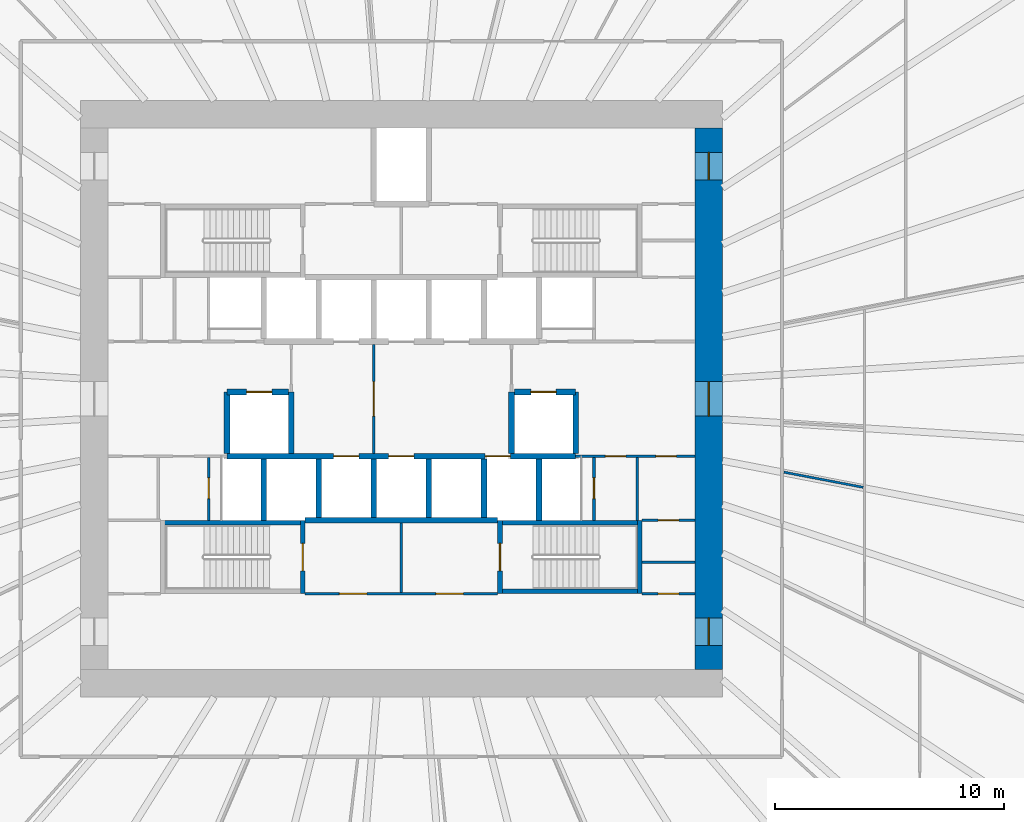
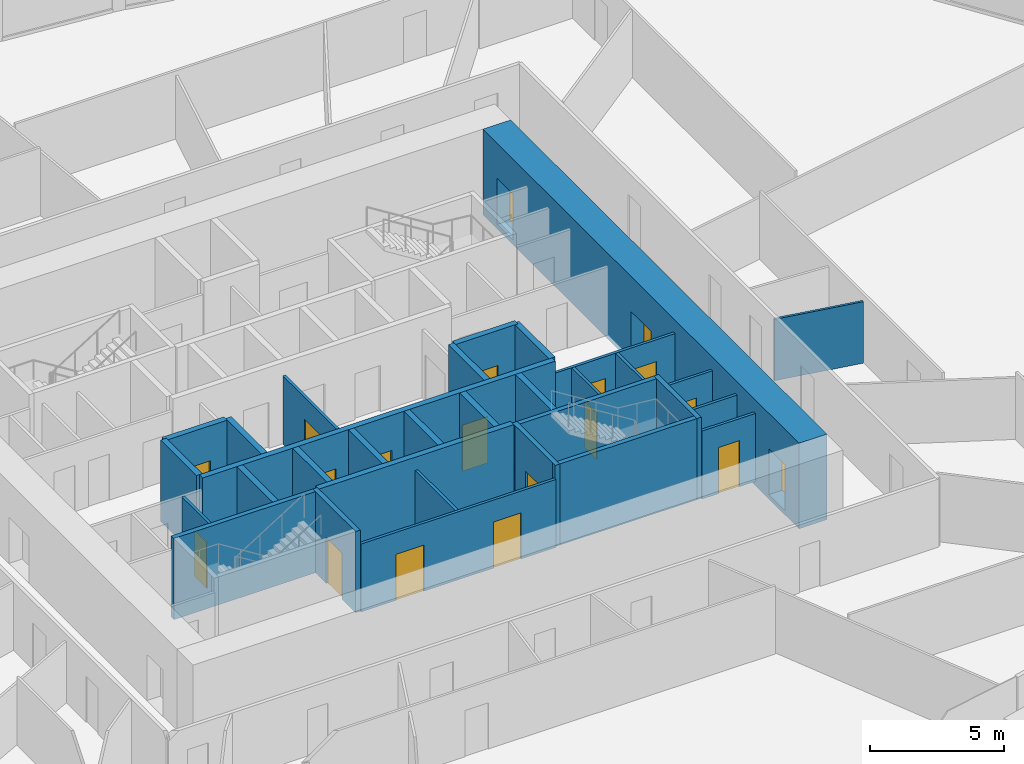
# One storey, part 7 of 11: 32 walls, 19 doors, 19 openings.
"""IFC4 building model written with IfcOpenShell, lengths in metres."""

from ifc_helpers import new_model, si_unit, direction, frame, frame_2d, origin, place, context, subcontext, project, spatial, rectangle, extrude, source, transform, mapped, material, layer, layer_set, type_object, element, fill, save


model = new_model("IFC4")

# Units and contexts
model_context = context("Model", 3, precision=1e-05, world=origin(), true_north=direction((0.0, 1.0)))
body_context = subcontext(model_context, "Body", "Model", "MODEL_VIEW")
ifc_project = project(units=[si_unit("LENGTHUNIT", "METRE"), si_unit("AREAUNIT", "SQUARE_METRE"), si_unit("VOLUMEUNIT", "CUBIC_METRE"), si_unit("PLANEANGLEUNIT", "RADIAN"), si_unit("MASSUNIT", "GRAM", prefix="KILO")], contexts=[model_context])

# Site, building, storey
site_placement = place(None, origin())
site = spatial("IfcSite", under=ifc_project, at=site_placement, CompositionType="ELEMENT")
building_placement = place(site_placement, origin())
building = spatial("IfcBuilding", under=site, at=building_placement, Name="Embergate Tower", CompositionType="ELEMENT")
storey_placement = place(building_placement, frame((0.0, 0.0, 77.60009765625)))
storey = spatial("IfcBuildingStorey", under=building, at=storey_placement, Name="L15", CompositionType="ELEMENT", Elevation=77.60009765625)

# Wall, openings, doors
ifc_material_1 = material(Name="Concrete C80", Category="concrete")
ifc_layer_1 = layer(ifc_material_1, 1.199951171875)
ifc_layer_set_1 = layer_set([ifc_layer_1], Name="Concrete C80")
wall_type_1 = type_object("IfcWallType", Name="Core outer wall C80 1200", PredefinedType="SHEAR", material=ifc_layer_set_1)
shared_shape_1 = source(origin(), body_context, "Body", "SweptSolid", [
    extrude(rectangle(XDim=23.60009765625, YDim=1.199951171875, at=frame_2d((11.800048828125, 0.0))), origin(), (0.0, 0.0, 1.0), 3.900146484375),
])
wall_1_placement = place(storey_placement, frame((13.39990234375, -11.800048828125, -0.2001953125), z_axis=(0.0, 0.0, 1.0), x_axis=(0.0, 1.0, 0.0)))
wall_1 = element("IfcWall", 1, at=wall_1_placement, inside=storey, type_object=wall_type_1, Name="CW-L15-E", PredefinedType="SHEAR", context=body_context, shape_type="MappedRepresentation", body=[
    mapped(shared_shape_1, transform((0.0, 0.0, 0.0))),
])
shared_shape_2 = source(origin(), body_context, "Body", "SweptSolid", [
    extrude(rectangle(XDim=1.199951171875, YDim=2.10009765625, at=frame_2d((0.60009765625, 1.050048828125))), frame((0.0, 0.60986328125, 0.0), z_axis=(0.0, -1.0, 0.0), x_axis=(1.0, 0.0, 0.0)), (0.0, 0.0, 1.0), 1.219970703125),
])
opening_1_placement = place(wall_1_placement, frame((21.35009765625, 0.0, 0.199951171875)))
opening_1 = element("IfcOpeningElement", 2, at=opening_1_placement, cuts=wall_1, Name="Opening IF-1", PredefinedType="OPENING", context=body_context, shape_type="MappedRepresentation", body=[
    mapped(shared_shape_2, transform((0.0, 0.0, 0.0))),
])
opening_2_placement = place(wall_1_placement, frame((1.050048828125, 0.0, 0.199951171875)))
opening_2 = element("IfcOpeningElement", 3, at=opening_2_placement, cuts=wall_1, Name="Opening IF-1", PredefinedType="OPENING", context=body_context, shape_type="MappedRepresentation", body=[
    mapped(shared_shape_2, transform((0.0, 0.0, 0.0))),
])
shared_shape_3 = source(origin(), body_context, "Body", "SweptSolid", [
    extrude(rectangle(XDim=1.5, YDim=2.10009765625, at=frame_2d((0.75, 1.050048828125))), frame((0.0, 0.60986328125, 0.0), z_axis=(0.0, -1.0, 0.0), x_axis=(1.0, 0.0, 0.0)), (0.0, 0.0, 1.0), 1.219970703125),
])
opening_3_placement = place(wall_1_placement, frame((11.050048828125, 0.0, 0.199951171875)))
opening_3 = element("IfcOpeningElement", 4, at=opening_3_placement, cuts=wall_1, Name="Opening IF-3", PredefinedType="OPENING", context=body_context, shape_type="MappedRepresentation", body=[
    mapped(shared_shape_3, transform((0.0, 0.0, 0.0))),
])
ifc_material_2 = material(Name="Escape fire door 1200")
door_type_1 = type_object("IfcDoorType", Name="Escape fire door 1200", OperationType="SINGLE_SWING_LEFT", PredefinedType="DOOR", material=ifc_material_2)
shared_shape_4 = source(origin(), body_context, "Body", "SweptSolid", [
    extrude(rectangle(XDim=1.199951171875, YDim=2.10009765625, at=frame_2d((0.60009765625, 1.050048828125))), frame((0.0, 0.02490234375, 0.0), z_axis=(0.0, -1.0, 0.0), x_axis=(1.0, 0.0, 0.0)), (0.0, 0.0, 1.0), 0.050048828125),
])
door_1_placement = place(opening_1_placement, origin())
door_1 = element("IfcDoor", 5, at=door_1_placement, inside=storey, type_object=door_type_1, Name="IF-1 door", OperationType="SINGLE_SWING_LEFT", OverallHeight=2.10009765625, OverallWidth=1.199951171875, PredefinedType="DOOR", context=body_context, shape_type="MappedRepresentation", body=[
    mapped(shared_shape_4, transform((0.0, 0.0, 0.0))),
])
fill(opening_1, door_1)
door_2_placement = place(opening_2_placement, origin())
door_2 = element("IfcDoor", 6, at=door_2_placement, inside=storey, type_object=door_type_1, Name="IF-1 door", OperationType="SINGLE_SWING_RIGHT", OverallHeight=2.10009765625, OverallWidth=1.199951171875, PredefinedType="DOOR", context=body_context, shape_type="MappedRepresentation", body=[
    mapped(shared_shape_4, transform((0.0, 0.0, 0.0))),
])
fill(opening_2, door_2)
ifc_material_3 = material(Name="Lobby fire door pair 1500")
door_type_2 = type_object("IfcDoorType", Name="Lobby fire door pair 1500", OperationType="DOUBLE_DOOR_SINGLE_SWING", PredefinedType="DOOR", material=ifc_material_3)
shared_shape_5 = source(origin(), body_context, "Body", "SweptSolid", [
    extrude(rectangle(XDim=1.5, YDim=2.10009765625, at=frame_2d((0.75, 1.050048828125))), frame((0.0, 0.02490234375, 0.0), z_axis=(0.0, -1.0, 0.0), x_axis=(1.0, 0.0, 0.0)), (0.0, 0.0, 1.0), 0.050048828125),
])
door_3_placement = place(opening_3_placement, origin())
door_3 = element("IfcDoor", 7, at=door_3_placement, inside=storey, type_object=door_type_2, Name="IF-3 door", OperationType="DOUBLE_DOOR_SINGLE_SWING", OverallHeight=2.10009765625, OverallWidth=1.5, PredefinedType="DOOR", context=body_context, shape_type="MappedRepresentation", body=[
    mapped(shared_shape_5, transform((0.0, 0.0, 0.0))),
])
fill(opening_3, door_3)

# Walls
ifc_material_4 = material(Name="Concrete C50", Category="concrete")
ifc_layer_2 = layer(ifc_material_4, 0.25)
ifc_layer_set_2 = layer_set([ifc_layer_2], Name="Concrete C50")
wall_type_2 = type_object("IfcWallType", Name="Hoistway wall reinforced concrete 250", PredefinedType="SHEAR", material=ifc_layer_set_2)
shared_shape_6 = source(origin(), body_context, "Body", "SweptSolid", [
    extrude(rectangle(XDim=2.675048828125, YDim=0.25, at=frame_2d((1.33740234375, 0.0))), origin(), (0.0, 0.0, 1.0), 3.699951171875),
])
for number, where, z_axis, x_axis, name in (
    (8, (-6.0, -5.300048828125, 0.0), (0.0, 0.0, 1.0), (0.0, 1.0, 0.0), "HW-1 wall"),
    (9, (6.0, -5.300048828125, 0.0), (0.0, 0.0, 1.0), (0.0, 1.0, 0.0), "HW-1 wall"),
    (10, (-4.800048828125, 0.300048828125, 0.0), (0.0, 0.0, 1.0), (0.0, -1.0, 0.0), "HW-1 wall"),
    (11, (4.800048828125, -2.375, 0.0), (0.0, 0.0, 1.0), (0.0, 1.0, 0.0), "HW-1 wall"),
):
    element("IfcWall", number, at=place(storey_placement, frame(where, z_axis=z_axis, x_axis=x_axis)), inside=storey, type_object=wall_type_2, Name=name, PredefinedType="SHEAR", context=body_context, shape_type="MappedRepresentation", body=[
        mapped(shared_shape_6, transform((0.0, 0.0, 0.0))),
    ])

# Wall, opening, door
wall_2_placement = place(storey_placement, frame((-4.925048828125, 0.300048828125, 0.0), z_axis=(0.0, 0.0, 1.0), x_axis=(-1.0, 0.0, 0.0)))
wall_2 = element("IfcWall", 12, at=wall_2_placement, inside=storey, type_object=wall_type_2, Name="HW-1 wall", PredefinedType="SHEAR", context=body_context, shape_type="MappedRepresentation", body=[
    mapped(shared_shape_6, transform((0.0, 0.0, 0.0))),
])
shared_shape_7 = source(origin(), body_context, "Body", "SweptSolid", [
    extrude(rectangle(XDim=1.10009765625, YDim=2.10009765625, at=frame_2d((0.550048828125, 1.050048828125))), frame((0.0, 0.135009765625, 0.0), z_axis=(0.0, -1.0, 0.0), x_axis=(1.0, 0.0, 0.0)), (0.0, 0.0, 1.0), 0.27001953125),
])
opening_4_placement = place(wall_2_placement, frame((0.72509765625, 0.0, 0.0)))
opening_4 = element("IfcOpeningElement", 13, at=opening_4_placement, cuts=wall_2, Name="Opening LD", PredefinedType="OPENING", context=body_context, shape_type="MappedRepresentation", body=[
    mapped(shared_shape_7, transform((0.0, 0.0, 0.0))),
])
ifc_material_5 = material(Name="Landing door sliding 1100")
door_type_3 = type_object("IfcDoorType", Name="Landing door sliding 1100", OperationType="SLIDING_TO_LEFT", PredefinedType="DOOR", material=ifc_material_5)
shared_shape_8 = source(origin(), body_context, "Body", "SweptSolid", [
    extrude(rectangle(XDim=1.10009765625, YDim=2.10009765625, at=frame_2d((0.550048828125, 1.050048828125))), frame((0.0, 0.02490234375, 0.0), z_axis=(0.0, -1.0, 0.0), x_axis=(1.0, 0.0, 0.0)), (0.0, 0.0, 1.0), 0.050048828125),
])
door_4_placement = place(opening_4_placement, origin())
door_4 = element("IfcDoor", 14, at=door_4_placement, inside=storey, type_object=door_type_3, Name="LD door", OperationType="SLIDING_TO_RIGHT", OverallHeight=2.10009765625, OverallWidth=1.10009765625, PredefinedType="DOOR", context=body_context, shape_type="MappedRepresentation", body=[
    mapped(shared_shape_8, transform((0.0, 0.0, 0.0))),
])
fill(opening_4, door_4)

# Wall
wall_3_placement = place(storey_placement, frame((-7.60009765625, 0.300048828125, 0.0), z_axis=(0.0, 0.0, 1.0), x_axis=(0.0, -1.0, 0.0)))
element("IfcWall", 15, at=wall_3_placement, inside=storey, type_object=wall_type_2, Name="HW-1 wall", PredefinedType="SHEAR", context=body_context, shape_type="MappedRepresentation", body=[
    mapped(shared_shape_6, transform((0.0, 0.0, 0.0))),
])

# Wall, opening, door
wall_4_placement = place(storey_placement, frame((7.60009765625, 0.300048828125, 0.0), z_axis=(0.0, 0.0, 1.0), x_axis=(-1.0, 0.0, 0.0)))
wall_4 = element("IfcWall", 16, at=wall_4_placement, inside=storey, type_object=wall_type_2, Name="HW-1 wall", PredefinedType="SHEAR", context=body_context, shape_type="MappedRepresentation", body=[
    mapped(shared_shape_6, transform((0.0, 0.0, 0.0))),
])
opening_5_placement = place(wall_4_placement, frame((0.85009765625, 0.0, 0.0)))
opening_5 = element("IfcOpeningElement", 17, at=opening_5_placement, cuts=wall_4, Name="Opening LD", PredefinedType="OPENING", context=body_context, shape_type="MappedRepresentation", body=[
    mapped(shared_shape_7, transform((0.0, 0.0, 0.0))),
])
door_5_placement = place(opening_5_placement, origin())
door_5 = element("IfcDoor", 18, at=door_5_placement, inside=storey, type_object=door_type_3, Name="LD door", OperationType="SLIDING_TO_RIGHT", OverallHeight=2.10009765625, OverallWidth=1.10009765625, PredefinedType="DOOR", context=body_context, shape_type="MappedRepresentation", body=[
    mapped(shared_shape_8, transform((0.0, 0.0, 0.0))),
])
fill(opening_5, door_5)

# Walls
wall_5_placement = place(storey_placement, frame((7.60009765625, -2.375, 0.0), z_axis=(0.0, 0.0, 1.0), x_axis=(0.0, 1.0, 0.0)))
element("IfcWall", 19, at=wall_5_placement, inside=storey, type_object=wall_type_2, Name="HW-1 wall", PredefinedType="SHEAR", context=body_context, shape_type="MappedRepresentation", body=[
    mapped(shared_shape_6, transform((0.0, 0.0, 0.0))),
])
ifc_layer_3 = layer(ifc_material_4, 0.199951171875)
ifc_layer_set_3 = layer_set([ifc_layer_3], Name="Concrete C50")
wall_type_3 = type_object("IfcWallType", Name="Stair enclosure wall reinforced concrete 250", PredefinedType="SHEAR", material=ifc_layer_set_3)
shared_shape_9 = source(origin(), body_context, "Body", "SweptSolid", [
    extrude(rectangle(XDim=6.300048828125, YDim=0.199951171875, at=frame_2d((3.14990234375, 0.0))), origin(), (0.0, 0.0, 1.0), 3.699951171875),
])
for number, where, z_axis, x_axis, name in (
    (20, (-10.5, -5.39990234375, 0.0), (0.0, 0.0, 1.0), (1.0, 0.0, 0.0), "SE-1 wall"),
    (21, (4.199951171875, -5.39990234375, 0.0), (0.0, 0.0, 1.0), (1.0, 0.0, 0.0), "SE-1 wall"),
    (22, (4.199951171875, -8.39990234375, 0.0), (0.0, 0.0, 1.0), (1.0, 0.0, 0.0), "SE-1 wall"),
):
    element("IfcWall", number, at=place(storey_placement, frame(where, z_axis=z_axis, x_axis=x_axis)), inside=storey, type_object=wall_type_3, Name=name, PredefinedType="SHEAR", context=body_context, shape_type="MappedRepresentation", body=[
        mapped(shared_shape_9, transform((0.0, 0.0, 0.0))),
    ])
shared_shape_10 = source(origin(), body_context, "Body", "SweptSolid", [
    extrude(rectangle(XDim=2.550048828125, YDim=0.25, at=frame_2d((1.27490234375, 0.0))), origin(), (0.0, 0.0, 1.0), 3.699951171875),
])
for number, where, z_axis, x_axis, name in (
    (23, (-3.60009765625, -5.175048828125, 0.0), (0.0, 0.0, 1.0), (0.0, 1.0, 0.0), "HW-1 wall"),
    (24, (-1.199951171875, -5.175048828125, 0.0), (0.0, 0.0, 1.0), (0.0, 1.0, 0.0), "HW-1 wall"),
    (25, (1.199951171875, -5.175048828125, 0.0), (0.0, 0.0, 1.0), (0.0, 1.0, 0.0), "HW-1 wall"),
    (26, (3.60009765625, -5.175048828125, 0.0), (0.0, 0.0, 1.0), (0.0, 1.0, 0.0), "HW-1 wall"),
):
    element("IfcWall", number, at=place(storey_placement, frame(where, z_axis=z_axis, x_axis=x_axis)), inside=storey, type_object=wall_type_2, Name=name, PredefinedType="SHEAR", context=body_context, shape_type="MappedRepresentation", body=[
        mapped(shared_shape_10, transform((0.0, 0.0, 0.0))),
    ])
shared_shape_11 = source(origin(), body_context, "Body", "SweptSolid", [
    extrude(rectangle(XDim=8.39990234375, YDim=0.25, at=frame_2d((4.199951171875, 0.0))), origin(), (0.0, 0.0, 1.0), 3.699951171875),
])
wall_6_placement = place(storey_placement, frame((-4.199951171875, -5.300048828125, 0.0), z_axis=(0.0, 0.0, 1.0), x_axis=(1.0, 0.0, 0.0)))
element("IfcWall", 27, at=wall_6_placement, inside=storey, type_object=wall_type_2, Name="HW-1 wall", PredefinedType="SHEAR", context=body_context, shape_type="MappedRepresentation", body=[
    mapped(shared_shape_11, transform((0.0, 0.0, 0.0))),
])

# Wall, openings, doors
shared_shape_12 = source(origin(), body_context, "Body", "SweptSolid", [
    extrude(rectangle(XDim=15.2001953125, YDim=0.25, at=frame_2d((7.60009765625, 0.0))), origin(), (0.0, 0.0, 1.0), 3.699951171875),
])
wall_7_placement = place(storey_placement, frame((7.60009765625, -2.5, 0.0), z_axis=(0.0, 0.0, 1.0), x_axis=(-1.0, 0.0, 0.0)))
wall_7 = element("IfcWall", 28, at=wall_7_placement, inside=storey, type_object=wall_type_2, Name="HW-1 wall", PredefinedType="SHEAR", context=body_context, shape_type="MappedRepresentation", body=[
    mapped(shared_shape_12, transform((0.0, 0.0, 0.0))),
])
opening_6_placement = place(wall_7_placement, frame((9.449951171875, 0.0, 0.0)))
opening_6 = element("IfcOpeningElement", 29, at=opening_6_placement, cuts=wall_7, Name="Opening LD", PredefinedType="OPENING", context=body_context, shape_type="MappedRepresentation", body=[
    mapped(shared_shape_7, transform((0.0, 0.0, 0.0))),
])
opening_7_placement = place(wall_7_placement, frame((7.050048828125, 0.0, 0.0)))
opening_7 = element("IfcOpeningElement", 30, at=opening_7_placement, cuts=wall_7, Name="Opening LD", PredefinedType="OPENING", context=body_context, shape_type="MappedRepresentation", body=[
    mapped(shared_shape_7, transform((0.0, 0.0, 0.0))),
])
opening_8_placement = place(wall_7_placement, frame((2.85009765625, 0.0, 0.0)))
opening_8 = element("IfcOpeningElement", 31, at=opening_8_placement, cuts=wall_7, Name="Opening LD", PredefinedType="OPENING", context=body_context, shape_type="MappedRepresentation", body=[
    mapped(shared_shape_7, transform((0.0, 0.0, 0.0))),
])
door_6_placement = place(opening_6_placement, origin())
door_6 = element("IfcDoor", 32, at=door_6_placement, inside=storey, type_object=door_type_3, Name="LD door", OperationType="SLIDING_TO_LEFT", OverallHeight=2.10009765625, OverallWidth=1.10009765625, PredefinedType="DOOR", context=body_context, shape_type="MappedRepresentation", body=[
    mapped(shared_shape_8, transform((0.0, 0.0, 0.0))),
])
fill(opening_6, door_6)
door_7_placement = place(opening_7_placement, origin())
door_7 = element("IfcDoor", 33, at=door_7_placement, inside=storey, type_object=door_type_3, Name="LD door", OperationType="SLIDING_TO_LEFT", OverallHeight=2.10009765625, OverallWidth=1.10009765625, PredefinedType="DOOR", context=body_context, shape_type="MappedRepresentation", body=[
    mapped(shared_shape_8, transform((0.0, 0.0, 0.0))),
])
fill(opening_7, door_7)
door_8_placement = place(opening_8_placement, origin())
door_8 = element("IfcDoor", 34, at=door_8_placement, inside=storey, type_object=door_type_3, Name="LD door", OperationType="SLIDING_TO_RIGHT", OverallHeight=2.10009765625, OverallWidth=1.10009765625, PredefinedType="DOOR", context=body_context, shape_type="MappedRepresentation", body=[
    mapped(shared_shape_8, transform((0.0, 0.0, 0.0))),
])
fill(opening_8, door_8)

# Wall, opening, door
shared_shape_13 = source(origin(), body_context, "Body", "SweptSolid", [
    extrude(rectangle(XDim=3.199951171875, YDim=0.199951171875, at=frame_2d((1.60009765625, 0.0))), origin(), (0.0, 0.0, 1.0), 3.699951171875),
])
wall_8_placement = place(storey_placement, frame((-4.300048828125, -8.5, 0.0), z_axis=(0.0, 0.0, 1.0), x_axis=(0.0, 1.0, 0.0)))
wall_8 = element("IfcWall", 35, at=wall_8_placement, inside=storey, type_object=wall_type_3, Name="SE-1 wall", PredefinedType="SHEAR", context=body_context, shape_type="MappedRepresentation", body=[
    mapped(shared_shape_13, transform((0.0, 0.0, 0.0))),
])
shared_shape_14 = source(origin(), body_context, "Body", "SweptSolid", [
    extrude(rectangle(XDim=1.199951171875, YDim=2.10009765625, at=frame_2d((0.60009765625, 1.050048828125))), frame((0.0, 0.10986328125, 0.0), z_axis=(0.0, -1.0, 0.0), x_axis=(1.0, 0.0, 0.0)), (0.0, 0.0, 1.0), 0.219970703125),
])
opening_9_placement = place(wall_8_placement, frame((1.0, 0.0, 0.0)))
opening_9 = element("IfcOpeningElement", 36, at=opening_9_placement, cuts=wall_8, Name="Opening IF-2", PredefinedType="OPENING", context=body_context, shape_type="MappedRepresentation", body=[
    mapped(shared_shape_14, transform((0.0, 0.0, 0.0))),
])
ifc_material_6 = material(Name="Stair enclosure door 1200")
door_type_4 = type_object("IfcDoorType", Name="Stair enclosure door 1200", OperationType="SINGLE_SWING_LEFT", PredefinedType="DOOR", material=ifc_material_6)
door_9_placement = place(opening_9_placement, origin())
door_9 = element("IfcDoor", 37, at=door_9_placement, inside=storey, type_object=door_type_4, Name="IF-2 door", OperationType="SINGLE_SWING_RIGHT", OverallHeight=2.10009765625, OverallWidth=1.199951171875, PredefinedType="DOOR", context=body_context, shape_type="MappedRepresentation", body=[
    mapped(shared_shape_4, transform((0.0, 0.0, 0.0))),
])
fill(opening_9, door_9)

wall_9_placement = place(storey_placement, frame((4.300048828125, -5.300048828125, 0.0), z_axis=(0.0, 0.0, 1.0), x_axis=(0.0, -1.0, 0.0)))
wall_9 = element("IfcWall", 38, at=wall_9_placement, inside=storey, type_object=wall_type_3, Name="SE-1 wall", PredefinedType="SHEAR", context=body_context, shape_type="MappedRepresentation", body=[
    mapped(shared_shape_13, transform((0.0, 0.0, 0.0))),
])
opening_10_placement = place(wall_9_placement, frame((1.0, 0.0, 0.0)))
opening_10 = element("IfcOpeningElement", 39, at=opening_10_placement, cuts=wall_9, Name="Opening IF-2", PredefinedType="OPENING", context=body_context, shape_type="MappedRepresentation", body=[
    mapped(shared_shape_14, transform((0.0, 0.0, 0.0))),
])
door_10_placement = place(opening_10_placement, origin())
door_10 = element("IfcDoor", 40, at=door_10_placement, inside=storey, type_object=door_type_4, Name="IF-2 door", OperationType="SINGLE_SWING_RIGHT", OverallHeight=2.10009765625, OverallWidth=1.199951171875, PredefinedType="DOOR", context=body_context, shape_type="MappedRepresentation", body=[
    mapped(shared_shape_4, transform((0.0, 0.0, 0.0))),
])
fill(opening_10, door_10)

# Wall
wall_10_placement = place(storey_placement, frame((10.39990234375, -8.5, 0.0), z_axis=(0.0, 0.0, 1.0), x_axis=(0.0, 1.0, 0.0)))
element("IfcWall", 41, at=wall_10_placement, inside=storey, type_object=wall_type_3, Name="SE-1 wall", PredefinedType="SHEAR", context=body_context, shape_type="MappedRepresentation", body=[
    mapped(shared_shape_13, transform((0.0, 0.0, 0.0))),
])

# Wall, opening, door
ifc_material_7 = material(Name="Core partition blockwork 120")
ifc_layer_4 = layer(ifc_material_7, 0.1201171875)
ifc_layer_set_4 = layer_set([ifc_layer_4], Name="Core partition blockwork 120")
wall_type_4 = type_object("IfcWallType", Name="Core partition blockwork 120", PredefinedType="PARTITIONING", material=ifc_layer_set_4)
shared_shape_15 = source(origin(), body_context, "Body", "SweptSolid", [
    extrude(rectangle(XDim=2.739990234375, YDim=0.1201171875, at=frame_2d((1.3701171875, 0.0))), origin(), (0.0, 0.0, 1.0), 3.099853515625),
])
wall_11_placement = place(storey_placement, frame((-8.39990234375, -2.56005859375, 0.0), z_axis=(0.0, 0.0, 1.0), x_axis=(0.0, -1.0, 0.0)))
wall_11 = element("IfcWall", 42, at=wall_11_placement, inside=storey, type_object=wall_type_4, Name="IP-3 wall", PredefinedType="PARTITIONING", context=body_context, shape_type="MappedRepresentation", body=[
    mapped(shared_shape_15, transform((0.0, 0.0, 0.0))),
])
shared_shape_16 = source(origin(), body_context, "Body", "SweptSolid", [
    extrude(rectangle(XDim=0.89990234375, YDim=2.10009765625, at=frame_2d((0.449951171875, 1.050048828125))), frame((0.0, 0.070068359375, 0.0), z_axis=(0.0, -1.0, 0.0), x_axis=(1.0, 0.0, 0.0)), (0.0, 0.0, 1.0), 0.14013671875),
])
opening_11_placement = place(wall_11_placement, frame((0.889892578125, 0.0, 0.0)))
opening_11 = element("IfcOpeningElement", 43, at=opening_11_placement, cuts=wall_11, Name="Opening ID-1", PredefinedType="OPENING", context=body_context, shape_type="MappedRepresentation", body=[
    mapped(shared_shape_16, transform((0.0, 0.0, 0.0))),
])
ifc_material_8 = material(Name="Interior door 900")
door_type_5 = type_object("IfcDoorType", Name="Interior door 900", OperationType="SINGLE_SWING_LEFT", PredefinedType="DOOR", material=ifc_material_8)
shared_shape_17 = source(origin(), body_context, "Body", "SweptSolid", [
    extrude(rectangle(XDim=0.89990234375, YDim=2.10009765625, at=frame_2d((0.449951171875, 1.050048828125))), frame((0.0, 0.02490234375, 0.0), z_axis=(0.0, -1.0, 0.0), x_axis=(1.0, 0.0, 0.0)), (0.0, 0.0, 1.0), 0.050048828125),
])
door_11_placement = place(opening_11_placement, origin())
door_11 = element("IfcDoor", 44, at=door_11_placement, inside=storey, type_object=door_type_5, Name="ID-1 door", OperationType="SINGLE_SWING_RIGHT", OverallHeight=2.10009765625, OverallWidth=0.89990234375, PredefinedType="DOOR", context=body_context, shape_type="MappedRepresentation", body=[
    mapped(shared_shape_17, transform((0.0, 0.0, 0.0))),
])
fill(opening_11, door_11)

wall_12_placement = place(storey_placement, frame((8.39990234375, -5.300048828125, 0.0), z_axis=(0.0, 0.0, 1.0), x_axis=(0.0, 1.0, 0.0)))
wall_12 = element("IfcWall", 45, at=wall_12_placement, inside=storey, type_object=wall_type_4, Name="IP-3 wall", PredefinedType="PARTITIONING", context=body_context, shape_type="MappedRepresentation", body=[
    mapped(shared_shape_15, transform((0.0, 0.0, 0.0))),
])
opening_12_placement = place(wall_12_placement, frame((0.949951171875, 0.0, 0.0)))
opening_12 = element("IfcOpeningElement", 46, at=opening_12_placement, cuts=wall_12, Name="Opening ID-1", PredefinedType="OPENING", context=body_context, shape_type="MappedRepresentation", body=[
    mapped(shared_shape_16, transform((0.0, 0.0, 0.0))),
])
door_12_placement = place(opening_12_placement, origin())
door_12 = element("IfcDoor", 47, at=door_12_placement, inside=storey, type_object=door_type_5, Name="ID-1 door", OperationType="SINGLE_SWING_RIGHT", OverallHeight=2.10009765625, OverallWidth=0.89990234375, PredefinedType="DOOR", context=body_context, shape_type="MappedRepresentation", body=[
    mapped(shared_shape_17, transform((0.0, 0.0, 0.0))),
])
fill(opening_12, door_12)

# Wall
wall_13_placement = place(storey_placement, frame((10.2919921875, -5.300048828125, 0.0), z_axis=(0.0, 0.0, 1.0), x_axis=(0.0, 1.0, 0.0)))
element("IfcWall", 48, at=wall_13_placement, inside=storey, type_object=wall_type_4, Name="IP-3 wall", PredefinedType="PARTITIONING", context=body_context, shape_type="MappedRepresentation", body=[
    mapped(shared_shape_15, transform((0.0, 0.0, 0.0))),
])

# Wall, openings, doors
shared_shape_18 = source(origin(), body_context, "Body", "SweptSolid", [
    extrude(rectangle(XDim=5.199951171875, YDim=0.1201171875, at=frame_2d((2.60009765625, 0.0))), origin(), (0.0, 0.0, 1.0), 3.099853515625),
])
wall_14_placement = place(storey_placement, frame((12.800048828125, -2.5, 0.0), z_axis=(0.0, 0.0, 1.0), x_axis=(-1.0, 0.0, 0.0)))
wall_14 = element("IfcWall", 49, at=wall_14_placement, inside=storey, type_object=wall_type_4, Name="IP-3 wall", PredefinedType="PARTITIONING", context=body_context, shape_type="MappedRepresentation", body=[
    mapped(shared_shape_18, transform((0.0, 0.0, 0.0))),
])
opening_13_placement = place(wall_14_placement, frame((3.00390625, 0.0, 0.0)))
opening_13 = element("IfcOpeningElement", 50, at=opening_13_placement, cuts=wall_14, Name="Opening ID-1", PredefinedType="OPENING", context=body_context, shape_type="MappedRepresentation", body=[
    mapped(shared_shape_16, transform((0.0, 0.0, 0.0))),
])
opening_14_placement = place(wall_14_placement, frame((0.803955078125, 0.0, 0.0)))
opening_14 = element("IfcOpeningElement", 51, at=opening_14_placement, cuts=wall_14, Name="Opening ID-1", PredefinedType="OPENING", context=body_context, shape_type="MappedRepresentation", body=[
    mapped(shared_shape_16, transform((0.0, 0.0, 0.0))),
])
door_13_placement = place(opening_13_placement, origin())
door_13 = element("IfcDoor", 52, at=door_13_placement, inside=storey, type_object=door_type_5, Name="ID-1 door", OperationType="SINGLE_SWING_RIGHT", OverallHeight=2.10009765625, OverallWidth=0.89990234375, PredefinedType="DOOR", context=body_context, shape_type="MappedRepresentation", body=[
    mapped(shared_shape_17, transform((0.0, 0.0, 0.0))),
])
fill(opening_13, door_13)
door_14_placement = place(opening_14_placement, origin())
door_14 = element("IfcDoor", 53, at=door_14_placement, inside=storey, type_object=door_type_5, Name="ID-1 door", OperationType="SINGLE_SWING_RIGHT", OverallHeight=2.10009765625, OverallWidth=0.89990234375, PredefinedType="DOOR", context=body_context, shape_type="MappedRepresentation", body=[
    mapped(shared_shape_17, transform((0.0, 0.0, 0.0))),
])
fill(opening_14, door_14)

# Wall, opening, door
shared_shape_19 = source(origin(), body_context, "Body", "SweptSolid", [
    extrude(rectangle(XDim=4.75, YDim=0.1201171875, at=frame_2d((2.375, 0.0))), origin(), (0.0, 0.0, 1.0), 3.099853515625),
])
wall_15_placement = place(storey_placement, frame((-1.199951171875, -2.375, 0.0), z_axis=(0.0, 0.0, 1.0), x_axis=(0.0, 1.0, 0.0)))
wall_15 = element("IfcWall", 54, at=wall_15_placement, inside=storey, type_object=wall_type_4, Name="IP-3 wall", PredefinedType="PARTITIONING", context=body_context, shape_type="MappedRepresentation", body=[
    mapped(shared_shape_19, transform((0.0, 0.0, 0.0))),
])
shared_shape_20 = source(origin(), body_context, "Body", "SweptSolid", [
    extrude(rectangle(XDim=1.5, YDim=2.10009765625, at=frame_2d((0.75, 1.050048828125))), frame((0.0, 0.070068359375, 0.0), z_axis=(0.0, -1.0, 0.0), x_axis=(1.0, 0.0, 0.0)), (0.0, 0.0, 1.0), 0.14013671875),
])
opening_15_placement = place(wall_15_placement, frame((1.625, 0.0, 0.0)))
opening_15 = element("IfcOpeningElement", 55, at=opening_15_placement, cuts=wall_15, Name="Opening IF-3", PredefinedType="OPENING", context=body_context, shape_type="MappedRepresentation", body=[
    mapped(shared_shape_20, transform((0.0, 0.0, 0.0))),
])
door_15_placement = place(opening_15_placement, origin())
door_15 = element("IfcDoor", 56, at=door_15_placement, inside=storey, type_object=door_type_2, Name="IF-3 door", OperationType="DOUBLE_DOOR_SINGLE_SWING", OverallHeight=2.10009765625, OverallWidth=1.5, PredefinedType="DOOR", context=body_context, shape_type="MappedRepresentation", body=[
    mapped(shared_shape_5, transform((0.0, 0.0, 0.0))),
])
fill(opening_15, door_15)

# Wall
shared_shape_21 = source(origin(), body_context, "Body", "SweptSolid", [
    extrude(rectangle(XDim=3.014892578125, YDim=0.1201171875, at=frame_2d((1.50732421875, 0.0))), origin(), (0.0, 0.0, 1.0), 3.099853515625),
])
wall_16_placement = place(storey_placement, frame((0.0, -8.43994140625, 0.0), z_axis=(0.0, 0.0, 1.0), x_axis=(0.0, 1.0, 0.0)))
element("IfcWall", 57, at=wall_16_placement, inside=storey, type_object=wall_type_4, Name="IP-3 wall", PredefinedType="PARTITIONING", context=body_context, shape_type="MappedRepresentation", body=[
    mapped(shared_shape_21, transform((0.0, 0.0, 0.0))),
])

# Wall, openings, doors
shared_shape_22 = source(origin(), body_context, "Body", "SweptSolid", [
    extrude(rectangle(XDim=8.39990234375, YDim=0.1201171875, at=frame_2d((4.199951171875, 0.0))), origin(), (0.0, 0.0, 1.0), 3.099853515625),
])
wall_17_placement = place(storey_placement, frame((-4.199951171875, -8.5, 0.0), z_axis=(0.0, 0.0, 1.0), x_axis=(1.0, 0.0, 0.0)))
wall_17 = element("IfcWall", 58, at=wall_17_placement, inside=storey, type_object=wall_type_4, Name="IP-3 wall", PredefinedType="PARTITIONING", context=body_context, shape_type="MappedRepresentation", body=[
    mapped(shared_shape_22, transform((0.0, 0.0, 0.0))),
])
shared_shape_23 = source(origin(), body_context, "Body", "SweptSolid", [
    extrude(rectangle(XDim=1.199951171875, YDim=2.10009765625, at=frame_2d((0.60009765625, 1.050048828125))), frame((0.0, 0.070068359375, 0.0), z_axis=(0.0, -1.0, 0.0), x_axis=(1.0, 0.0, 0.0)), (0.0, 0.0, 1.0), 0.14013671875),
])
opening_16_placement = place(wall_17_placement, frame((1.5, 0.0, 0.0)))
opening_16 = element("IfcOpeningElement", 59, at=opening_16_placement, cuts=wall_17, Name="Opening IF-3f", PredefinedType="OPENING", context=body_context, shape_type="MappedRepresentation", body=[
    mapped(shared_shape_23, transform((0.0, 0.0, 0.0))),
])
opening_17_placement = place(wall_17_placement, frame((5.699951171875, 0.0, 0.0)))
opening_17 = element("IfcOpeningElement", 60, at=opening_17_placement, cuts=wall_17, Name="Opening IF-3f", PredefinedType="OPENING", context=body_context, shape_type="MappedRepresentation", body=[
    mapped(shared_shape_23, transform((0.0, 0.0, 0.0))),
])
ifc_material_9 = material(Name="Lobby fire door pair 1200")
door_type_6 = type_object("IfcDoorType", Name="Lobby fire door pair 1200", OperationType="DOUBLE_DOOR_SINGLE_SWING", PredefinedType="DOOR", material=ifc_material_9)
door_16_placement = place(opening_16_placement, origin())
door_16 = element("IfcDoor", 61, at=door_16_placement, inside=storey, type_object=door_type_6, Name="IF-3 door", OperationType="DOUBLE_DOOR_SINGLE_SWING", OverallHeight=2.10009765625, OverallWidth=1.199951171875, PredefinedType="DOOR", context=body_context, shape_type="MappedRepresentation", body=[
    mapped(shared_shape_4, transform((0.0, 0.0, 0.0))),
])
fill(opening_16, door_16)
door_17_placement = place(opening_17_placement, origin())
door_17 = element("IfcDoor", 62, at=door_17_placement, inside=storey, type_object=door_type_6, Name="IF-3 door", OperationType="DOUBLE_DOOR_SINGLE_SWING", OverallHeight=2.10009765625, OverallWidth=1.199951171875, PredefinedType="DOOR", context=body_context, shape_type="MappedRepresentation", body=[
    mapped(shared_shape_4, transform((0.0, 0.0, 0.0))),
])
fill(opening_17, door_17)

# Wall, opening, door
shared_shape_24 = source(origin(), body_context, "Body", "SweptSolid", [
    extrude(rectangle(XDim=2.300048828125, YDim=0.1201171875, at=frame_2d((1.14990234375, 0.0))), origin(), (0.0, 0.0, 1.0), 3.099853515625),
])
wall_18_placement = place(storey_placement, frame((12.800048828125, -8.5, 0.0), z_axis=(0.0, 0.0, 1.0), x_axis=(-1.0, 0.0, 0.0)))
wall_18 = element("IfcWall", 63, at=wall_18_placement, inside=storey, type_object=wall_type_4, Name="IP-3 wall", PredefinedType="PARTITIONING", context=body_context, shape_type="MappedRepresentation", body=[
    mapped(shared_shape_24, transform((0.0, 0.0, 0.0))),
])
opening_18_placement = place(wall_18_placement, frame((0.699951171875, 0.0, 0.0)))
opening_18 = element("IfcOpeningElement", 64, at=opening_18_placement, cuts=wall_18, Name="Opening ID-1", PredefinedType="OPENING", context=body_context, shape_type="MappedRepresentation", body=[
    mapped(shared_shape_16, transform((0.0, 0.0, 0.0))),
])
door_18_placement = place(opening_18_placement, origin())
door_18 = element("IfcDoor", 65, at=door_18_placement, inside=storey, type_object=door_type_5, Name="ID-1 door", OperationType="SINGLE_SWING_LEFT", OverallHeight=2.10009765625, OverallWidth=0.89990234375, PredefinedType="DOOR", context=body_context, shape_type="MappedRepresentation", body=[
    mapped(shared_shape_17, transform((0.0, 0.0, 0.0))),
])
fill(opening_18, door_18)

wall_19_placement = place(storey_placement, frame((10.5, -5.300048828125, 0.0), z_axis=(0.0, 0.0, 1.0), x_axis=(1.0, 0.0, 0.0)))
wall_19 = element("IfcWall", 66, at=wall_19_placement, inside=storey, type_object=wall_type_4, Name="IP-3 wall", PredefinedType="PARTITIONING", context=body_context, shape_type="MappedRepresentation", body=[
    mapped(shared_shape_24, transform((0.0, 0.0, 0.0))),
])
opening_19_placement = place(wall_19_placement, frame((0.699951171875, 0.0, 0.0)))
opening_19 = element("IfcOpeningElement", 67, at=opening_19_placement, cuts=wall_19, Name="Opening ID-1", PredefinedType="OPENING", context=body_context, shape_type="MappedRepresentation", body=[
    mapped(shared_shape_16, transform((0.0, 0.0, 0.0))),
])
door_19_placement = place(opening_19_placement, origin())
door_19 = element("IfcDoor", 68, at=door_19_placement, inside=storey, type_object=door_type_5, Name="ID-1 door", OperationType="SINGLE_SWING_LEFT", OverallHeight=2.10009765625, OverallWidth=0.89990234375, PredefinedType="DOOR", context=body_context, shape_type="MappedRepresentation", body=[
    mapped(shared_shape_17, transform((0.0, 0.0, 0.0))),
])
fill(opening_19, door_19)

# Walls
wall_20_placement = place(storey_placement, frame((12.800048828125, -7.1240234375, 0.0), z_axis=(0.0, 0.0, 1.0), x_axis=(-1.0, 0.0, 0.0)))
element("IfcWall", 69, at=wall_20_placement, inside=storey, type_object=wall_type_4, Name="IP-3 wall", PredefinedType="PARTITIONING", context=body_context, shape_type="MappedRepresentation", body=[
    mapped(shared_shape_24, transform((0.0, 0.0, 0.0))),
])
ifc_material_10 = material(Name="Partition dry-lined 100")
ifc_layer_5 = layer(ifc_material_10, 0.10009765625)
ifc_layer_set_5 = layer_set([ifc_layer_5], Name="Partition dry-lined 100")
wall_type_5 = type_object("IfcWallType", Name="Partition dry-lined 100", PredefinedType="PARTITIONING", material=ifc_layer_set_5)
shared_shape_25 = source(origin(), body_context, "Body", "SweptSolid", [
    extrude(rectangle(XDim=3.519775390625, YDim=0.10009765625, at=frame_2d((1.759765625, 0.0))), origin(), (0.0, 0.0, 1.0), 2.7998046875),
])
wall_21_placement = place(storey_placement, frame((16.68408203125, -3.197998046875, 0.0), z_axis=(0.0, 0.0, 1.0), x_axis=(0.982148648971, -0.188106436159, 0.0)))
element("IfcWall", 70, at=wall_21_placement, inside=storey, type_object=wall_type_5, Name="IP-1 wall", PredefinedType="PARTITIONING", context=body_context, shape_type="MappedRepresentation", body=[
    mapped(shared_shape_25, transform((0.0, 0.0, 0.0))),
])

save(model, "model.ifc")
